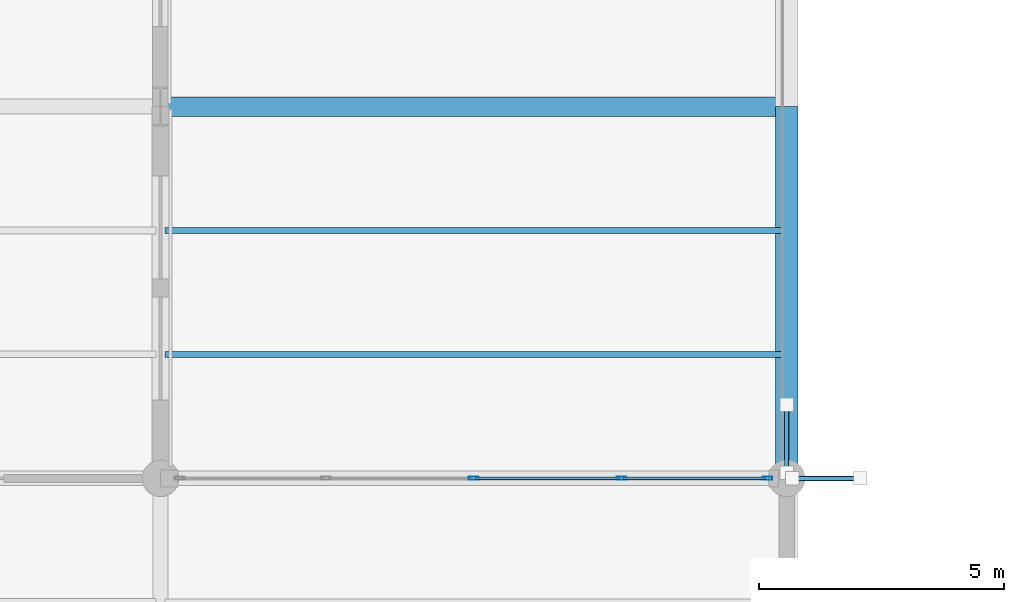
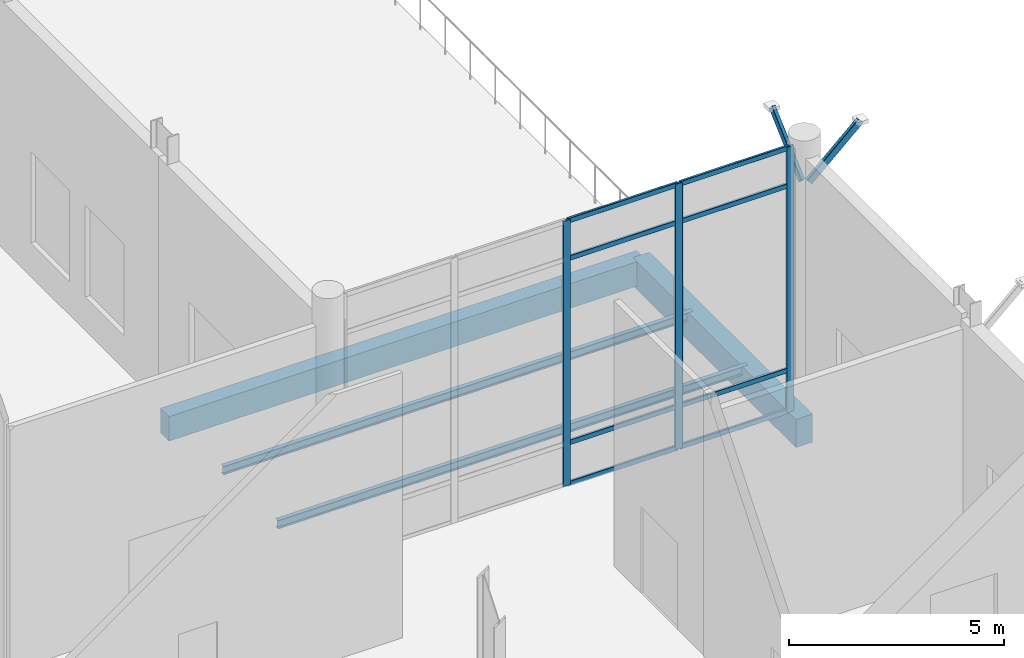
# One storey, part 91 of 176: 13 members, 4 beams, 1 element without a shape of its own.
"""IFC4 building model written with IfcOpenShell, lengths in metres."""

from ifc_helpers import new_model, si_unit, direction, frame, origin, origin_2d, place, context, subcontext, project, spatial, rectangle, hollow_rectangle, i_section, extrude, material, layer, layer_set, material_profile, profile_set, type_object, element, aggregate, save


model = new_model("IFC4")

# Units and contexts
model_context = context("Model", 3, precision=1e-05, world=origin(), true_north=direction((0.0, 1.0)))
body_context = subcontext(model_context, "Body", "Model", "MODEL_VIEW")
ifc_project = project(units=[si_unit("LENGTHUNIT", "METRE"), si_unit("AREAUNIT", "SQUARE_METRE"), si_unit("VOLUMEUNIT", "CUBIC_METRE"), si_unit("PLANEANGLEUNIT", "RADIAN"), si_unit("MASSUNIT", "GRAM", prefix="KILO")], contexts=[model_context])

# Site, building, storey
site_placement = place(None, origin())
site = spatial("IfcSite", under=ifc_project, at=site_placement, CompositionType="ELEMENT")
building_placement = place(site_placement, origin())
building = spatial("IfcBuilding", under=site, at=building_placement, Name="Vekula Escarpment Museum", CompositionType="ELEMENT")
storey_placement = place(building_placement, origin())
storey = spatial("IfcBuildingStorey", under=building, at=storey_placement, Name="L01", CompositionType="ELEMENT", Elevation=0.0)

# Beams
ifc_material_1 = material(Name="Steel S355", Category="steel")
ifc_material_profile_1 = material_profile(ifc_material_1, i_section(OverallWidth=0.1201171875, OverallDepth=0.239990234375, WebThickness=0.006103515625, FlangeThickness=0.009765625, FilletRadius=0.014892578125, at=origin_2d()), Name="IPE 240")
ifc_profile_set_1 = profile_set([ifc_material_profile_1], Name="Steel S355")
beam_type_1 = type_object("IfcBeamType", Name="BM-JST-IPE240", PredefinedType="JOIST", material=ifc_profile_set_1)
for number, where, z_axis, x_axis, name in (
    (1, (179.090087890625, 17.7333984375, -0.419921875), (1.0, 0.0, 0.0), (0.0, 1.0, 0.0), "Secondary Joist L01 0570"),
    (2, (179.090087890625, 20.2666015625, -0.419921875), (1.0, 0.0, 0.0), (0.0, 1.0, 0.0), "Secondary Joist L01 0571"),
):
    element("IfcBeam", number, at=place(storey_placement, frame(where, z_axis=z_axis, x_axis=x_axis)), inside=storey, type_object=beam_type_1, Name=name, PredefinedType="JOIST", context=body_context, shape_type="SweptSolid", body=[
        extrude(i_section(OverallWidth=0.1201171875, OverallDepth=0.239990234375, WebThickness=0.006103515625, FlangeThickness=0.009765625, FilletRadius=0.014892578125, at=origin_2d()), origin(), (0.0, 0.0, 1.0), 12.619873046875),
    ])
ifc_material_2 = material(Name="Concrete C35/45", Category="concrete")
ifc_material_profile_2 = material_profile(ifc_material_2, rectangle(XDim=0.449951171875, YDim=0.800048828125, at=origin_2d()), Name="RC 450x800")
ifc_profile_set_2 = profile_set([ifc_material_profile_2], Name="Concrete C35/45")
beam_type_2 = type_object("IfcBeamType", Name="BM-PLINTH-RC", PredefinedType="BEAM", material=ifc_profile_set_2)
beam_1_placement = place(storey_placement, frame((191.800048828125, 15.199951171875, -0.699951171875), z_axis=(0.0, 1.0, 0.0), x_axis=(-1.0, 0.0, 0.0)))
element("IfcBeam", 3, at=beam_1_placement, inside=storey, type_object=beam_type_2, Name="Beam Y L01 0765", PredefinedType="BEAM", context=body_context, shape_type="SweptSolid", body=[
    extrude(rectangle(XDim=0.449951171875, YDim=0.800048828125, at=origin_2d()), origin(), (0.0, 0.0, 1.0), 7.60009765625),
])
ifc_material_3 = material(Name="Concrete C35/45", Category="concrete")
ifc_material_profile_3 = material_profile(ifc_material_3, rectangle(XDim=0.39990234375, YDim=0.699951171875, at=origin_2d()), Name="RC 400x700")
ifc_profile_set_3 = profile_set([ifc_material_profile_3], Name="Concrete C35/45")
beam_type_3 = type_object("IfcBeamType", Name="BM-PLINTH-RC2", PredefinedType="BEAM", material=ifc_profile_set_3)
beam_2_placement = place(storey_placement, frame((179.0, 22.800048828125, -0.64990234375), z_axis=(1.0, 0.0, 0.0), x_axis=(0.0, 1.0, 0.0)))
element("IfcBeam", 4, at=beam_2_placement, inside=storey, type_object=beam_type_3, Name="Beam X L01 0083", PredefinedType="BEAM", context=body_context, shape_type="SweptSolid", body=[
    extrude(rectangle(XDim=0.39990234375, YDim=0.699951171875, at=origin_2d()), origin(), (0.0, 0.0, 1.0), 12.800048828125),
])

# Curtain wall, members
ifc_material_4 = material(Name="Aluminium thermally broken framing", Category="aluminium")
ifc_layer = layer(ifc_material_4, 0.179931640625)
ifc_layer_set = layer_set([ifc_layer], Name="Aluminium thermally broken framing")
curtain_wall_type = type_object("IfcCurtainWallType", Name="CW-SYS-08", PredefinedType="NOTDEFINED", material=ifc_layer_set)
curtain_wall_placement = place(storey_placement, origin())
curtain_wall = element("IfcCurtainWall", 5, at=curtain_wall_placement, inside=storey, type_object=curtain_wall_type, Name="Curtain Wall CW-L01-018", PredefinedType="NOTDEFINED")
ifc_material_5 = material(Name="Aluminium anodized mullion", Category="aluminium")
ifc_material_profile_4 = material_profile(ifc_material_5, hollow_rectangle(XDim=0.06494140625, YDim=0.199951171875, WallThickness=0.00390625, InnerFilletRadius=0.00390625, OuterFilletRadius=0.008056640625, at=origin_2d()), Name="ALU 200x65x4")
ifc_profile_set_4 = profile_set([ifc_material_profile_4], Name="Aluminium anodized mullion")
member_type_1 = type_object("IfcMemberType", Name="CW-MUL-200", PredefinedType="MULLION", material=ifc_profile_set_4)
member_1_placement = place(storey_placement, frame((191.407470703125, 15.199951171875, 0.0), z_axis=(0.0, 0.0, 1.0), x_axis=(0.0, -1.0, 0.0)))
member_1 = element("IfcMember", 6, at=member_1_placement, type_object=member_type_1, Name="CW-08 mullion 1", PredefinedType="MULLION", context=body_context, shape_type="SweptSolid", body=[
    extrude(hollow_rectangle(XDim=0.06494140625, YDim=0.199951171875, WallThickness=0.00390625, InnerFilletRadius=0.00390625, OuterFilletRadius=0.008056640625, at=origin_2d()), origin(), (0.0, 0.0, 1.0), 7.5400390625),
])
member_2_placement = place(storey_placement, frame((188.419921875, 15.199951171875, 0.0), z_axis=(0.0, 0.0, 1.0), x_axis=(0.0, -1.0, 0.0)))
member_2 = element("IfcMember", 7, at=member_2_placement, type_object=member_type_1, Name="CW-08 mullion 2", PredefinedType="MULLION", context=body_context, shape_type="SweptSolid", body=[
    extrude(hollow_rectangle(XDim=0.06494140625, YDim=0.199951171875, WallThickness=0.00390625, InnerFilletRadius=0.00390625, OuterFilletRadius=0.008056640625, at=origin_2d()), origin(), (0.0, 0.0, 1.0), 7.5400390625),
])
member_3_placement = place(storey_placement, frame((185.39990234375, 15.199951171875, 0.0), z_axis=(0.0, 0.0, 1.0), x_axis=(0.0, -1.0, 0.0)))
member_3 = element("IfcMember", 8, at=member_3_placement, type_object=member_type_1, Name="CW-08 mullion 3", PredefinedType="MULLION", context=body_context, shape_type="SweptSolid", body=[
    extrude(hollow_rectangle(XDim=0.06494140625, YDim=0.199951171875, WallThickness=0.00390625, InnerFilletRadius=0.00390625, OuterFilletRadius=0.008056640625, at=origin_2d()), origin(), (0.0, 0.0, 1.0), 7.5400390625),
])
ifc_material_6 = material(Name="Aluminium anodized transom", Category="aluminium")
ifc_material_profile_5 = material_profile(ifc_material_6, hollow_rectangle(XDim=0.06494140625, YDim=0.139892578125, WallThickness=0.00390625, InnerFilletRadius=0.00390625, OuterFilletRadius=0.008056640625, at=origin_2d()), Name="ALU 140x65x4")
ifc_profile_set_5 = profile_set([ifc_material_profile_5], Name="Aluminium anodized transom")
member_type_2 = type_object("IfcMemberType", Name="CW-TRN-140", PredefinedType="USERDEFINED", material=ifc_profile_set_5)
member_4_placement = place(storey_placement, frame((191.375, 15.199951171875, 0.032470703125), z_axis=(-1.0, 0.0, 0.0), x_axis=(0.0, -1.0, 0.0)))
member_4 = element("IfcMember", 9, at=member_4_placement, type_object=member_type_2, Name="CW-08 transom 1.1", ObjectType="TRANSOM", PredefinedType="USERDEFINED", context=body_context, shape_type="SweptSolid", body=[
    extrude(hollow_rectangle(XDim=0.06494140625, YDim=0.139892578125, WallThickness=0.00390625, InnerFilletRadius=0.00390625, OuterFilletRadius=0.008056640625, at=origin_2d()), origin(), (0.0, 0.0, 1.0), 2.922607421875),
])
member_5_placement = place(storey_placement, frame((191.375, 15.199951171875, 1.199951171875), z_axis=(-1.0, 0.0, 0.0), x_axis=(0.0, -1.0, 0.0)))
member_5 = element("IfcMember", 10, at=member_5_placement, type_object=member_type_2, Name="CW-08 transom 1.2", ObjectType="TRANSOM", PredefinedType="USERDEFINED", context=body_context, shape_type="SweptSolid", body=[
    extrude(hollow_rectangle(XDim=0.06494140625, YDim=0.139892578125, WallThickness=0.00390625, InnerFilletRadius=0.00390625, OuterFilletRadius=0.008056640625, at=origin_2d()), origin(), (0.0, 0.0, 1.0), 2.922607421875),
])
member_6_placement = place(storey_placement, frame((191.375, 15.199951171875, 6.43994140625), z_axis=(-1.0, 0.0, 0.0), x_axis=(0.0, -1.0, 0.0)))
member_6 = element("IfcMember", 11, at=member_6_placement, type_object=member_type_2, Name="CW-08 transom 1.3", ObjectType="TRANSOM", PredefinedType="USERDEFINED", context=body_context, shape_type="SweptSolid", body=[
    extrude(hollow_rectangle(XDim=0.06494140625, YDim=0.139892578125, WallThickness=0.00390625, InnerFilletRadius=0.00390625, OuterFilletRadius=0.008056640625, at=origin_2d()), origin(), (0.0, 0.0, 1.0), 2.922607421875),
])
member_7_placement = place(storey_placement, frame((191.375, 15.199951171875, 7.507568359375), z_axis=(-1.0, 0.0, 0.0), x_axis=(0.0, -1.0, 0.0)))
member_7 = element("IfcMember", 12, at=member_7_placement, type_object=member_type_2, Name="CW-08 transom 1.4", ObjectType="TRANSOM", PredefinedType="USERDEFINED", context=body_context, shape_type="SweptSolid", body=[
    extrude(hollow_rectangle(XDim=0.06494140625, YDim=0.139892578125, WallThickness=0.00390625, InnerFilletRadius=0.00390625, OuterFilletRadius=0.008056640625, at=origin_2d()), origin(), (0.0, 0.0, 1.0), 2.922607421875),
])
member_8_placement = place(storey_placement, frame((188.387451171875, 15.199951171875, 0.032470703125), z_axis=(-1.0, 0.0, 0.0), x_axis=(0.0, -1.0, 0.0)))
member_8 = element("IfcMember", 13, at=member_8_placement, type_object=member_type_2, Name="CW-08 transom 2.1", ObjectType="TRANSOM", PredefinedType="USERDEFINED", context=body_context, shape_type="SweptSolid", body=[
    extrude(hollow_rectangle(XDim=0.06494140625, YDim=0.139892578125, WallThickness=0.00390625, InnerFilletRadius=0.00390625, OuterFilletRadius=0.008056640625, at=origin_2d()), origin(), (0.0, 0.0, 1.0), 2.954833984375),
])
member_9_placement = place(storey_placement, frame((188.387451171875, 15.199951171875, 1.199951171875), z_axis=(-1.0, 0.0, 0.0), x_axis=(0.0, -1.0, 0.0)))
member_9 = element("IfcMember", 14, at=member_9_placement, type_object=member_type_2, Name="CW-08 transom 2.2", ObjectType="TRANSOM", PredefinedType="USERDEFINED", context=body_context, shape_type="SweptSolid", body=[
    extrude(hollow_rectangle(XDim=0.06494140625, YDim=0.139892578125, WallThickness=0.00390625, InnerFilletRadius=0.00390625, OuterFilletRadius=0.008056640625, at=origin_2d()), origin(), (0.0, 0.0, 1.0), 2.954833984375),
])
member_10_placement = place(storey_placement, frame((188.387451171875, 15.199951171875, 6.43994140625), z_axis=(-1.0, 0.0, 0.0), x_axis=(0.0, -1.0, 0.0)))
member_10 = element("IfcMember", 15, at=member_10_placement, type_object=member_type_2, Name="CW-08 transom 2.3", ObjectType="TRANSOM", PredefinedType="USERDEFINED", context=body_context, shape_type="SweptSolid", body=[
    extrude(hollow_rectangle(XDim=0.06494140625, YDim=0.139892578125, WallThickness=0.00390625, InnerFilletRadius=0.00390625, OuterFilletRadius=0.008056640625, at=origin_2d()), origin(), (0.0, 0.0, 1.0), 2.954833984375),
])
member_11_placement = place(storey_placement, frame((188.387451171875, 15.199951171875, 7.507568359375), z_axis=(-1.0, 0.0, 0.0), x_axis=(0.0, -1.0, 0.0)))
member_11 = element("IfcMember", 16, at=member_11_placement, type_object=member_type_2, Name="CW-08 transom 2.4", ObjectType="TRANSOM", PredefinedType="USERDEFINED", context=body_context, shape_type="SweptSolid", body=[
    extrude(hollow_rectangle(XDim=0.06494140625, YDim=0.139892578125, WallThickness=0.00390625, InnerFilletRadius=0.00390625, OuterFilletRadius=0.008056640625, at=origin_2d()), origin(), (0.0, 0.0, 1.0), 2.954833984375),
])
aggregate(curtain_wall, [member_1, member_2, member_3, member_4, member_5, member_6, member_7, member_8, member_9, member_10, member_11])

# Members
ifc_material_7 = material(Name="Steel S355", Category="steel")
ifc_material_profile_6 = material_profile(ifc_material_7, hollow_rectangle(XDim=0.10009765625, YDim=0.199951171875, WallThickness=0.008056640625, InnerFilletRadius=0.008056640625, OuterFilletRadius=0.01611328125, at=origin_2d()), Name="RHS 200x100x8")
ifc_profile_set_6 = profile_set([ifc_material_profile_6], Name="Steel S355")
member_type_3 = type_object("IfcMemberType", Name="MB-SACAK-BRK", PredefinedType="STRUT", material=ifc_profile_set_6)
member_12_placement = place(storey_placement, frame((191.919921875, 15.199951171875, 6.35009765625), z_axis=(0.738513776389, 0.0, 0.674238386688), x_axis=(0.0, 1.0, 0.0)))
element("IfcMember", 17, at=member_12_placement, inside=storey, type_object=member_type_3, Name="Ottoman Sacak Eave Bracket L02-0029", PredefinedType="STRUT", context=body_context, shape_type="SweptSolid", body=[
    extrude(hollow_rectangle(XDim=0.10009765625, YDim=0.199951171875, WallThickness=0.008056640625, InnerFilletRadius=0.008056640625, OuterFilletRadius=0.01611328125, at=origin_2d()), origin(), (0.0, 0.0, 1.0), 1.868896484375),
])
member_13_placement = place(storey_placement, frame((191.800048828125, 15.320068359375, 6.35009765625), z_axis=(0.0, 0.738454378718, 0.674303441006), x_axis=(-1.0, 0.0, 0.0)))
element("IfcMember", 18, at=member_13_placement, inside=storey, type_object=member_type_3, Name="Ottoman Sacak Eave Bracket L02-0030", PredefinedType="STRUT", context=body_context, shape_type="SweptSolid", body=[
    extrude(hollow_rectangle(XDim=0.10009765625, YDim=0.199951171875, WallThickness=0.008056640625, InnerFilletRadius=0.008056640625, OuterFilletRadius=0.01611328125, at=origin_2d()), origin(), (0.0, 0.0, 1.0), 1.86865234375),
])

save(model, "model.ifc")
